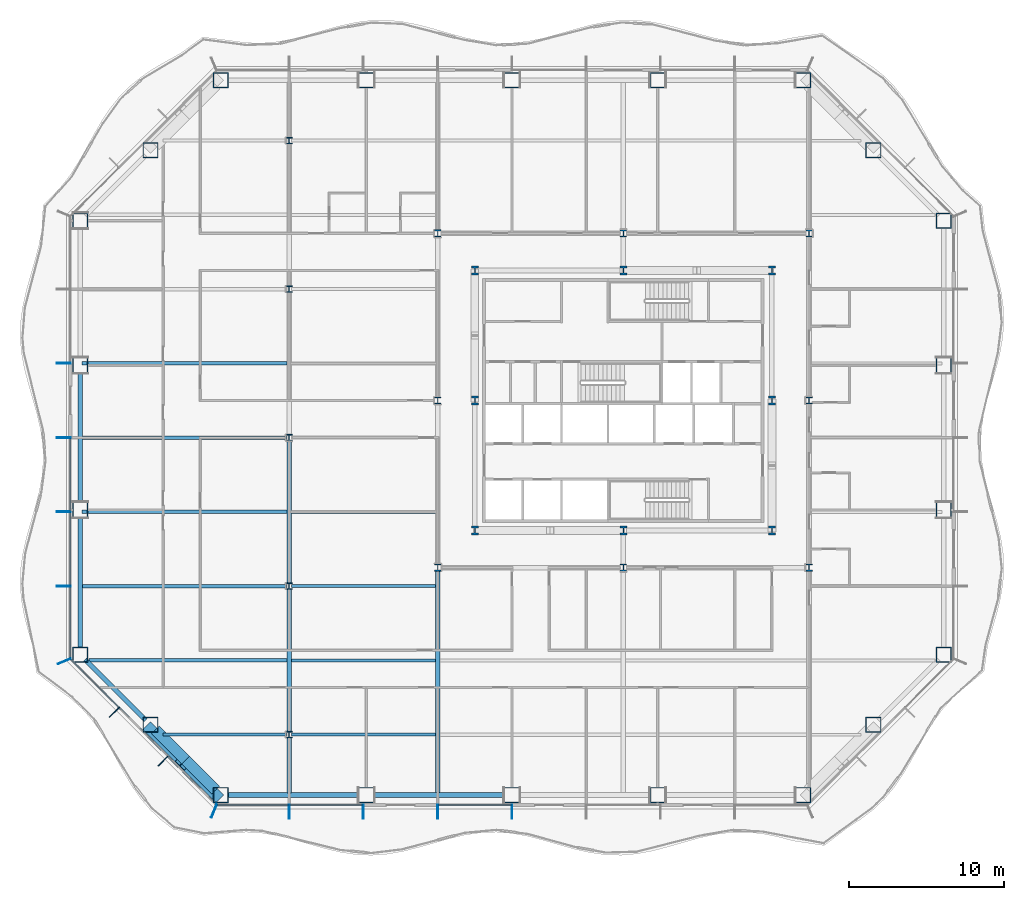
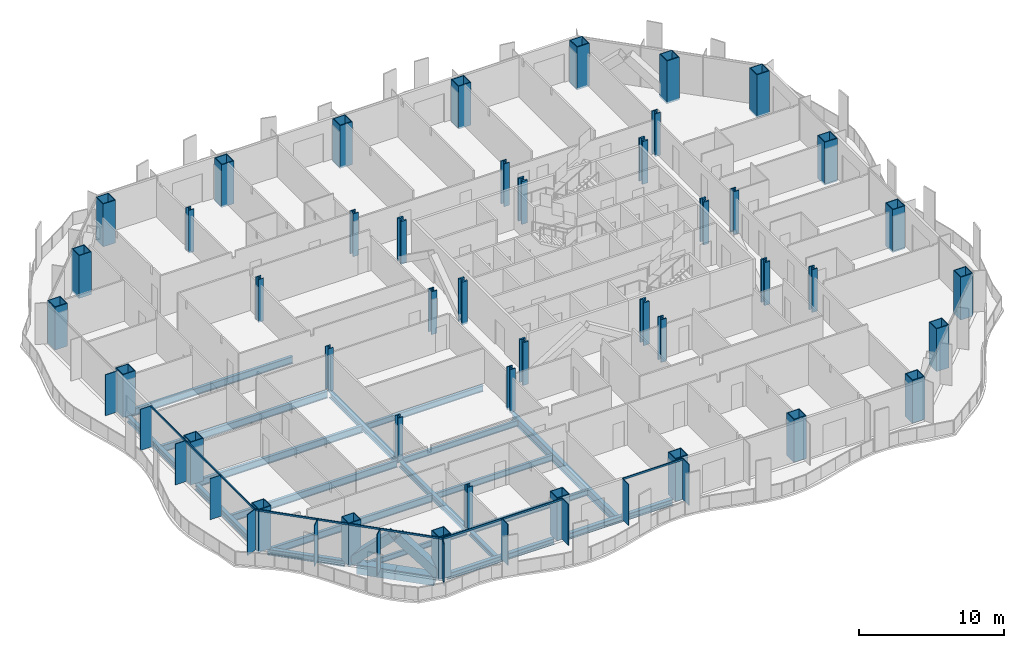
# One storey, part 1 of 20: 43 columns, 23 members, 21 beams, 3 elements without a shape of their own.
"""IFC4 building model written with IfcOpenShell, lengths in metres."""

from ifc_helpers import new_model, si_unit, direction, frame, origin, origin_2d, place, context, subcontext, project, spatial, rectangle, hollow_rectangle, i_section, extrude, material, material_profile, profile_set, type_object, element, aggregate, save


model = new_model("IFC4")

# Units and contexts
model_context = context("Model", 3, precision=1e-05, world=origin(), true_north=direction((0.0, 1.0)))
body_context = subcontext(model_context, "Body", "Model", "MODEL_VIEW")
ifc_project = project(units=[si_unit("LENGTHUNIT", "METRE"), si_unit("AREAUNIT", "SQUARE_METRE"), si_unit("VOLUMEUNIT", "CUBIC_METRE"), si_unit("PLANEANGLEUNIT", "RADIAN"), si_unit("MASSUNIT", "GRAM", prefix="KILO")], contexts=[model_context])

# Site, building, storey
site_placement = place(None, origin())
site = spatial("IfcSite", under=ifc_project, at=site_placement, CompositionType="ELEMENT")
building_placement = place(site_placement, origin())
building = spatial("IfcBuilding", under=site, at=building_placement, Name="Cairn Pilgrim Tower", CompositionType="ELEMENT")
storey_placement = place(building_placement, frame((0.0, 0.0, 61.800048828125)))
storey = spatial("IfcBuildingStorey", under=building, at=storey_placement, Name="L13", CompositionType="ELEMENT", Elevation=61.800048828125)

# Columns
ifc_material_1 = material(Name="Structural steel S460M", Category="steel")
ifc_material_profile_1 = material_profile(ifc_material_1, hollow_rectangle(XDim=1.0, YDim=1.0, WallThickness=0.06005859375, at=origin_2d()), Name="BOX 1000x1000x60")
ifc_profile_set_1 = profile_set([ifc_material_profile_1], Name="Structural steel S460M")
column_type_1 = type_object("IfcColumnType", Name="BOX 1000x1000x60", PredefinedType="COLUMN", material=ifc_profile_set_1)
for number, where, z_axis, x_axis, name in (
    (1, (-18.8271484375, -23.10009765625, -0.150146484375), (0.0, 0.0, 1.0), (1.0, 0.0, 0.0), "PC1-S1"),
    (2, (-9.41357421875, -23.10009765625, -0.150146484375), (0.0, 0.0, 1.0), (1.0, 0.0, 0.0), "PC1-S2"),
    (3, (0.0, -23.10009765625, -0.150146484375), (0.0, 0.0, 1.0), (1.0, 0.0, 0.0), "PC1-S3"),
    (4, (9.41357421875, -23.10009765625, -0.150146484375), (0.0, 0.0, 1.0), (1.0, 0.0, 0.0), "PC1-S4"),
    (5, (18.8271484375, -23.10009765625, -0.150146484375), (0.0, 0.0, 1.0), (1.0, 0.0, 0.0), "PC1-SE1"),
    (6, (23.363525390625, -18.563720703125, -0.150146484375), (0.0, 0.0, 1.0), (1.0, 0.0, 0.0), "PC1-SE2"),
    (7, (27.89990234375, -14.027099609375, -0.150146484375), (0.0, 0.0, 1.0), (1.0, 0.0, 0.0), "PC1-E1"),
    (8, (27.89990234375, -4.67578125, -0.150146484375), (0.0, 0.0, 1.0), (1.0, 0.0, 0.0), "PC1-E2"),
    (9, (27.89990234375, 4.67578125, -0.150146484375), (0.0, 0.0, 1.0), (1.0, 0.0, 0.0), "PC1-E3"),
    (10, (27.89990234375, 14.027099609375, -0.150146484375), (0.0, 0.0, 1.0), (1.0, 0.0, 0.0), "PC1-NE1"),
    (11, (23.363525390625, 18.563720703125, -0.150146484375), (0.0, 0.0, 1.0), (1.0, 0.0, 0.0), "PC1-NE2"),
    (12, (18.8271484375, 23.10009765625, -0.150146484375), (0.0, 0.0, 1.0), (1.0, 0.0, 0.0), "PC1-N1"),
    (13, (9.41357421875, 23.10009765625, -0.150146484375), (0.0, 0.0, 1.0), (1.0, 0.0, 0.0), "PC1-N2"),
    (14, (0.0, 23.10009765625, -0.150146484375), (0.0, 0.0, 1.0), (1.0, 0.0, 0.0), "PC1-N3"),
    (15, (-9.41357421875, 23.10009765625, -0.150146484375), (0.0, 0.0, 1.0), (1.0, 0.0, 0.0), "PC1-N4"),
    (16, (-18.8271484375, 23.10009765625, -0.150146484375), (0.0, 0.0, 1.0), (1.0, 0.0, 0.0), "PC1-NW1"),
    (17, (-23.363525390625, 18.563720703125, -0.150146484375), (0.0, 0.0, 1.0), (1.0, 0.0, 0.0), "PC1-NW2"),
    (18, (-27.89990234375, 14.027099609375, -0.150146484375), (0.0, 0.0, 1.0), (1.0, 0.0, 0.0), "PC1-W1"),
    (19, (-27.89990234375, 4.67578125, -0.150146484375), (0.0, 0.0, 1.0), (1.0, 0.0, 0.0), "PC1-W2"),
    (20, (-27.89990234375, -4.67578125, -0.150146484375), (0.0, 0.0, 1.0), (1.0, 0.0, 0.0), "PC1-W3"),
    (21, (-27.89990234375, -14.027099609375, -0.150146484375), (0.0, 0.0, 1.0), (1.0, 0.0, 0.0), "PC1-SW1"),
    (22, (-23.363525390625, -18.563720703125, -0.150146484375), (0.0, 0.0, 1.0), (1.0, 0.0, 0.0), "PC1-SW2"),
):
    element("IfcColumn", number, at=place(storey_placement, frame(where, z_axis=z_axis, x_axis=x_axis)), inside=storey, type_object=column_type_1, Name=name, PredefinedType="COLUMN", context=body_context, shape_type="SweptSolid", body=[
        extrude(hollow_rectangle(XDim=1.0, YDim=1.0, WallThickness=0.06005859375, at=origin_2d()), origin(), (0.0, 0.0, 1.0), 3.60009765625),
    ])
ifc_material_profile_2 = material_profile(ifc_material_1, i_section(OverallWidth=0.4541015625, OverallDepth=0.569091796875, WebThickness=0.077880859375, FlangeThickness=0.125, FilletRadius=0.014892578125, at=origin_2d()), Name="HD 400x1086")
ifc_profile_set_2 = profile_set([ifc_material_profile_2], Name="Structural steel S460M")
column_type_2 = type_object("IfcColumnType", Name="HD 400x1086", PredefinedType="COLUMN", material=ifc_profile_set_2)
for number, where, z_axis, x_axis, name in (
    (23, (-2.39990234375, -6.0, -0.150146484375), (0.0, 0.0, 1.0), (1.0, 0.0, 0.0), "KC-1"),
    (24, (7.199951171875, -6.0, -0.150146484375), (0.0, 0.0, 1.0), (1.0, 0.0, 0.0), "KC-2"),
    (25, (16.800048828125, -6.0, -0.150146484375), (0.0, 0.0, 1.0), (1.0, 0.0, 0.0), "KC-3"),
    (26, (-2.39990234375, 2.39990234375, -0.150146484375), (0.0, 0.0, 1.0), (1.0, 0.0, 0.0), "KC-4"),
    (27, (16.800048828125, 2.39990234375, -0.150146484375), (0.0, 0.0, 1.0), (1.0, 0.0, 0.0), "KC-5"),
    (28, (-2.39990234375, 10.800048828125, -0.150146484375), (0.0, 0.0, 1.0), (1.0, 0.0, 0.0), "KC-6"),
    (29, (7.199951171875, 10.800048828125, -0.150146484375), (0.0, 0.0, 1.0), (1.0, 0.0, 0.0), "KC-7"),
    (30, (16.800048828125, 10.800048828125, -0.150146484375), (0.0, 0.0, 1.0), (1.0, 0.0, 0.0), "KC-8"),
):
    element("IfcColumn", number, at=place(storey_placement, frame(where, z_axis=z_axis, x_axis=x_axis)), inside=storey, type_object=column_type_2, Name=name, PredefinedType="COLUMN", context=body_context, shape_type="SweptSolid", body=[
        extrude(i_section(OverallWidth=0.4541015625, OverallDepth=0.569091796875, WebThickness=0.077880859375, FlangeThickness=0.125, FilletRadius=0.014892578125, at=origin_2d()), origin(), (0.0, 0.0, 1.0), 3.60009765625),
    ])
ifc_material_profile_3 = material_profile(ifc_material_1, i_section(OverallWidth=0.408935546875, OverallDepth=0.425048828125, WebThickness=0.03271484375, FlangeThickness=0.052490234375, FilletRadius=0.014892578125, at=origin_2d()), Name="HD 400x421")
ifc_profile_set_3 = profile_set([ifc_material_profile_3], Name="Structural steel S460M")
column_type_3 = type_object("IfcColumnType", Name="HD 400x421", PredefinedType="COLUMN", material=ifc_profile_set_3)
for number, where, z_axis, x_axis, name in (
    (31, (-14.39990234375, -19.199951171875, -0.150146484375), (0.0, 0.0, 1.0), (1.0, 0.0, 0.0), "WC-WW-4"),
    (32, (-14.39990234375, -9.60009765625, -0.150146484375), (0.0, 0.0, 1.0), (1.0, 0.0, 0.0), "WC-WW-2"),
    (33, (-14.39990234375, 0.0, -0.150146484375), (0.0, 0.0, 1.0), (1.0, 0.0, 0.0), "WC-WW+0"),
    (34, (-14.39990234375, 9.60009765625, -0.150146484375), (0.0, 0.0, 1.0), (1.0, 0.0, 0.0), "WC-WW+2"),
    (35, (-14.39990234375, 19.199951171875, -0.150146484375), (0.0, 0.0, 1.0), (1.0, 0.0, 0.0), "WC-WW+4"),
):
    element("IfcColumn", number, at=place(storey_placement, frame(where, z_axis=z_axis, x_axis=x_axis)), inside=storey, type_object=column_type_3, Name=name, PredefinedType="COLUMN", context=body_context, shape_type="SweptSolid", body=[
        extrude(i_section(OverallWidth=0.408935546875, OverallDepth=0.425048828125, WebThickness=0.03271484375, FlangeThickness=0.052490234375, FilletRadius=0.014892578125, at=origin_2d()), origin(), (0.0, 0.0, 1.0), 3.60009765625),
    ])
ifc_material_profile_4 = material_profile(ifc_material_1, i_section(OverallWidth=0.424072265625, OverallDepth=0.47412109375, WebThickness=0.047607421875, FlangeThickness=0.0771484375, FilletRadius=0.014892578125, at=origin_2d()), Name="HD 400x634")
ifc_profile_set_4 = profile_set([ifc_material_profile_4], Name="Structural steel S460M")
column_type_4 = type_object("IfcColumnType", Name="HD 400x634", PredefinedType="COLUMN", material=ifc_profile_set_4)
for number, where, z_axis, x_axis, name in (
    (36, (-4.800048828125, -8.39990234375, -0.150146484375), (0.0, 0.0, 1.0), (1.0, 0.0, 0.0), "IC-1"),
    (37, (7.199951171875, -8.39990234375, -0.150146484375), (0.0, 0.0, 1.0), (1.0, 0.0, 0.0), "IC-2"),
    (38, (19.199951171875, -8.39990234375, -0.150146484375), (0.0, 0.0, 1.0), (1.0, 0.0, 0.0), "IC-3"),
    (39, (-4.800048828125, 2.39990234375, -0.150146484375), (0.0, 0.0, 1.0), (1.0, 0.0, 0.0), "IC-4"),
    (40, (19.199951171875, 2.39990234375, -0.150146484375), (0.0, 0.0, 1.0), (1.0, 0.0, 0.0), "IC-5"),
    (41, (-4.800048828125, 13.199951171875, -0.150146484375), (0.0, 0.0, 1.0), (1.0, 0.0, 0.0), "IC-6"),
    (42, (7.199951171875, 13.199951171875, -0.150146484375), (0.0, 0.0, 1.0), (1.0, 0.0, 0.0), "IC-7"),
    (43, (19.199951171875, 13.199951171875, -0.150146484375), (0.0, 0.0, 1.0), (1.0, 0.0, 0.0), "IC-8"),
):
    element("IfcColumn", number, at=place(storey_placement, frame(where, z_axis=z_axis, x_axis=x_axis)), inside=storey, type_object=column_type_4, Name=name, PredefinedType="COLUMN", context=body_context, shape_type="SweptSolid", body=[
        extrude(i_section(OverallWidth=0.424072265625, OverallDepth=0.47412109375, WebThickness=0.047607421875, FlangeThickness=0.0771484375, FilletRadius=0.014892578125, at=origin_2d()), origin(), (0.0, 0.0, 1.0), 3.60009765625),
    ])

# Members
ifc_material_profile_5 = material_profile(ifc_material_1, hollow_rectangle(XDim=0.699951171875, YDim=0.699951171875, WallThickness=0.0400390625, at=origin_2d()), Name="BOX 700x700x40")
ifc_profile_set_5 = profile_set([ifc_material_profile_5], Name="Structural steel S460M")
member_type_1 = type_object("IfcMemberType", Name="BOX 700x700x40 BRACE", PredefinedType="BRACE", material=ifc_profile_set_5)
member_1_placement = place(storey_placement, frame((-23.44482421875, -18.786376953125, 0.14990234375), z_axis=(0.528068439288, -0.528068439288, 0.665046950866), x_axis=(0.707106781187, 0.707106781187, 0.0)))
element("IfcMember", 44, at=member_1_placement, inside=storey, type_object=member_type_1, Name="XB-SW2-S1-1", PredefinedType="BRACE", context=body_context, shape_type="SweptSolid", body=[
    extrude(hollow_rectangle(XDim=0.699951171875, YDim=0.699951171875, WallThickness=0.0400390625, at=origin_2d()), origin(), (0.0, 0.0, 1.0), 3.899658203125),
])
member_2_placement = place(storey_placement, frame((-19.0498046875, -23.181396484375, 0.14990234375), z_axis=(-0.528096125699, 0.528096125699, 0.665002980477), x_axis=(-0.707106781187, -0.707106781187, 0.0)))
element("IfcMember", 45, at=member_2_placement, inside=storey, type_object=member_type_1, Name="XB-SW2-S1-2", PredefinedType="BRACE", context=body_context, shape_type="SweptSolid", body=[
    extrude(hollow_rectangle(XDim=0.699951171875, YDim=0.699951171875, WallThickness=0.0400390625, at=origin_2d()), origin(), (0.0, 0.0, 1.0), 3.89990234375),
])

# Beams
ifc_material_2 = material(Name="Structural steel S355J2", Category="steel")
ifc_material_profile_6 = material_profile(ifc_material_2, hollow_rectangle(XDim=0.699951171875, YDim=0.800048828125, WallThickness=0.0400390625, at=origin_2d()), Name="BOX 700x800x40")
ifc_profile_set_6 = profile_set([ifc_material_profile_6], Name="Structural steel S355J2")
beam_type_1 = type_object("IfcBeamType", Name="BOX 700x800x40 RING GIRDER", PredefinedType="SPANDREL", material=ifc_profile_set_6)
for number, where, z_axis, x_axis, name in (
    (46, (-23.04541015625, -18.8818359375, -0.550048828125), (0.707106781187, -0.707106781187, 0.0), (0.707106781187, 0.707106781187, 0.0), "RG1-SW2-S1-1"),
    (47, (-21.095458984375, -20.831787109375, -0.550048828125), (0.707106781187, -0.707106781187, 0.0), (0.707106781187, 0.707106781187, 0.0), "RG1-SW2-S1-2"),
):
    element("IfcBeam", number, at=place(storey_placement, frame(where, z_axis=z_axis, x_axis=x_axis)), inside=storey, type_object=beam_type_1, Name=name, PredefinedType="SPANDREL", context=body_context, shape_type="SweptSolid", body=[
        extrude(hollow_rectangle(XDim=0.699951171875, YDim=0.800048828125, WallThickness=0.0400390625, at=origin_2d()), origin(), (0.0, 0.0, 1.0), 2.757568359375),
    ])

# Curtain wall, members
ifc_material_3 = material(Name="Aluminium alloy 6063-T6 bronze anodised with Bronze tinted laminated low-E glass 8+16+8.8", Category="aluminium")
curtain_wall_type_1 = type_object("IfcCurtainWallType", Name="TOWER STICK CURTAIN WALL NS", PredefinedType="NOTDEFINED", material=ifc_material_3)
curtain_wall_1_placement = place(storey_placement, origin())
curtain_wall_1 = element("IfcCurtainWall", 48, at=curtain_wall_1_placement, inside=storey, type_object=curtain_wall_type_1, Name="Tower Stick Curtain Wall Ns S", PredefinedType="NOTDEFINED")
ifc_material_4 = material(Name="Aluminium alloy 6063-T6 bronze anodised", Category="aluminium")
ifc_material_profile_7 = material_profile(ifc_material_4, rectangle(XDim=0.89990234375, YDim=0.06005859375, at=origin_2d()), Name="FIN MULLION 60x900 BRONZE")
ifc_profile_set_7 = profile_set([ifc_material_profile_7], Name="Aluminium alloy 6063-T6 bronze anodised")
member_type_2 = type_object("IfcMemberType", Name="FIN MULLION 60x900 BRONZE", PredefinedType="MULLION", material=ifc_profile_set_7)
member_3_placement = place(storey_placement, frame((-19.257080078125, -24.137939453125, 0.0), z_axis=(0.0, 0.0, 1.0), x_axis=(-0.382683432365, -0.923879532511, 0.0)))
member_3 = element("IfcMember", 49, at=member_3_placement, type_object=member_type_2, Name="Fin mullion S1", PredefinedType="MULLION", context=body_context, shape_type="SweptSolid", body=[
    extrude(rectangle(XDim=0.89990234375, YDim=0.06005859375, at=origin_2d()), origin(), (0.0, 0.0, 1.0), 3.449951171875),
])
member_4_placement = place(storey_placement, frame((-14.39990234375, -24.169921875, 0.0), z_axis=(0.0, 0.0, 1.0), x_axis=(0.0, -1.0, 0.0)))
member_4 = element("IfcMember", 50, at=member_4_placement, type_object=member_type_2, Name="Fin mullion S2", PredefinedType="MULLION", context=body_context, shape_type="SweptSolid", body=[
    extrude(rectangle(XDim=0.89990234375, YDim=0.06005859375, at=origin_2d()), origin(), (0.0, 0.0, 1.0), 3.449951171875),
])
member_5_placement = place(storey_placement, frame((-9.60009765625, -24.169921875, 0.0), z_axis=(0.0, 0.0, 1.0), x_axis=(0.0, -1.0, 0.0)))
member_5 = element("IfcMember", 51, at=member_5_placement, type_object=member_type_2, Name="Fin mullion S3", PredefinedType="MULLION", context=body_context, shape_type="SweptSolid", body=[
    extrude(rectangle(XDim=0.89990234375, YDim=0.06005859375, at=origin_2d()), origin(), (0.0, 0.0, 1.0), 3.449951171875),
])
member_6_placement = place(storey_placement, frame((-4.800048828125, -24.169921875, 0.0), z_axis=(0.0, 0.0, 1.0), x_axis=(0.0, -1.0, 0.0)))
member_6 = element("IfcMember", 52, at=member_6_placement, type_object=member_type_2, Name="Fin mullion S4", PredefinedType="MULLION", context=body_context, shape_type="SweptSolid", body=[
    extrude(rectangle(XDim=0.89990234375, YDim=0.06005859375, at=origin_2d()), origin(), (0.0, 0.0, 1.0), 3.449951171875),
])
member_7_placement = place(storey_placement, frame((0.0, -24.169921875, 0.0), z_axis=(0.0, 0.0, 1.0), x_axis=(0.0, -1.0, 0.0)))
member_7 = element("IfcMember", 53, at=member_7_placement, type_object=member_type_2, Name="Fin mullion S5", PredefinedType="MULLION", context=body_context, shape_type="SweptSolid", body=[
    extrude(rectangle(XDim=0.89990234375, YDim=0.06005859375, at=origin_2d()), origin(), (0.0, 0.0, 1.0), 3.449951171875),
])

curtain_wall_type_2 = type_object("IfcCurtainWallType", Name="TOWER STICK CURTAIN WALL EW", PredefinedType="NOTDEFINED", material=ifc_material_3)
curtain_wall_2_placement = place(storey_placement, origin())
curtain_wall_2 = element("IfcCurtainWall", 54, at=curtain_wall_2_placement, inside=storey, type_object=curtain_wall_type_2, Name="Tower Stick Curtain Wall Ew W", PredefinedType="NOTDEFINED")
member_8_placement = place(storey_placement, frame((-28.969970703125, 4.800048828125, 0.0), z_axis=(0.0, 0.0, 1.0), x_axis=(-1.0, 0.0, 0.0)))
member_8 = element("IfcMember", 55, at=member_8_placement, type_object=member_type_2, Name="Fin mullion W3", PredefinedType="MULLION", context=body_context, shape_type="SweptSolid", body=[
    extrude(rectangle(XDim=0.89990234375, YDim=0.06005859375, at=origin_2d()), origin(), (0.0, 0.0, 1.0), 3.449951171875),
])
member_9_placement = place(storey_placement, frame((-28.969970703125, 0.0, 0.0), z_axis=(0.0, 0.0, 1.0), x_axis=(-1.0, 0.0, 0.0)))
member_9 = element("IfcMember", 56, at=member_9_placement, type_object=member_type_2, Name="Fin mullion W4", PredefinedType="MULLION", context=body_context, shape_type="SweptSolid", body=[
    extrude(rectangle(XDim=0.89990234375, YDim=0.06005859375, at=origin_2d()), origin(), (0.0, 0.0, 1.0), 3.449951171875),
])
member_10_placement = place(storey_placement, frame((-28.969970703125, -4.800048828125, 0.0), z_axis=(0.0, 0.0, 1.0), x_axis=(-1.0, 0.0, 0.0)))
member_10 = element("IfcMember", 57, at=member_10_placement, type_object=member_type_2, Name="Fin mullion W5", PredefinedType="MULLION", context=body_context, shape_type="SweptSolid", body=[
    extrude(rectangle(XDim=0.89990234375, YDim=0.06005859375, at=origin_2d()), origin(), (0.0, 0.0, 1.0), 3.449951171875),
])
member_11_placement = place(storey_placement, frame((-28.969970703125, -9.60009765625, 0.0), z_axis=(0.0, 0.0, 1.0), x_axis=(-1.0, 0.0, 0.0)))
member_11 = element("IfcMember", 58, at=member_11_placement, type_object=member_type_2, Name="Fin mullion W6", PredefinedType="MULLION", context=body_context, shape_type="SweptSolid", body=[
    extrude(rectangle(XDim=0.89990234375, YDim=0.06005859375, at=origin_2d()), origin(), (0.0, 0.0, 1.0), 3.449951171875),
])

curtain_wall_type_3 = type_object("IfcCurtainWallType", Name="CHAMFER CORNER CURTAIN WALL", PredefinedType="NOTDEFINED", material=ifc_material_3)
curtain_wall_3_placement = place(storey_placement, origin())
curtain_wall_3 = element("IfcCurtainWall", 59, at=curtain_wall_3_placement, inside=storey, type_object=curtain_wall_type_3, Name="Chamfer Corner Curtain Wall SW", PredefinedType="NOTDEFINED")
member_12_placement = place(storey_placement, frame((-28.93798828125, -14.457275390625, 0.0), z_axis=(0.0, 0.0, 1.0), x_axis=(-0.923879532511, -0.382683432365, 0.0)))
member_12 = element("IfcMember", 60, at=member_12_placement, type_object=member_type_2, Name="Fin mullion SW1", PredefinedType="MULLION", context=body_context, shape_type="SweptSolid", body=[
    extrude(rectangle(XDim=0.89990234375, YDim=0.06005859375, at=origin_2d()), origin(), (0.0, 0.0, 1.0), 3.449951171875),
])
member_13_placement = place(storey_placement, frame((-25.69580078125, -17.74462890625, 0.0), z_axis=(0.0, 0.0, 1.0), x_axis=(-0.707106781187, -0.707106781187, 0.0)))
member_13 = element("IfcMember", 61, at=member_13_placement, type_object=member_type_2, Name="Fin mullion SW2", PredefinedType="MULLION", context=body_context, shape_type="SweptSolid", body=[
    extrude(rectangle(XDim=0.89990234375, YDim=0.06005859375, at=origin_2d()), origin(), (0.0, 0.0, 1.0), 3.449951171875),
])
member_14_placement = place(storey_placement, frame((-22.544677734375, -20.895751953125, 0.0), z_axis=(0.0, 0.0, 1.0), x_axis=(-0.707106781187, -0.707106781187, 0.0)))
member_14 = element("IfcMember", 62, at=member_14_placement, type_object=member_type_2, Name="Fin mullion SW3", PredefinedType="MULLION", context=body_context, shape_type="SweptSolid", body=[
    extrude(rectangle(XDim=0.89990234375, YDim=0.06005859375, at=origin_2d()), origin(), (0.0, 0.0, 1.0), 3.449951171875),
])

# Beams
ifc_material_profile_8 = material_profile(ifc_material_2, i_section(OverallWidth=0.300048828125, OverallDepth=0.39990234375, WebThickness=0.013427734375, FlangeThickness=0.02392578125, FilletRadius=0.027099609375, at=origin_2d()), Name="HEB 400")
ifc_profile_set_8 = profile_set([ifc_material_profile_8], Name="Structural steel S355J2")
beam_type_2 = type_object("IfcBeamType", Name="HEB 400 GIRDER", PredefinedType="BEAM", material=ifc_profile_set_8)
beam_1_placement = place(storey_placement, frame((-14.39990234375, -22.97998046875, -0.35009765625), z_axis=(0.0, 1.0, 0.0), x_axis=(-1.0, 0.0, 0.0)))
element("IfcBeam", 63, at=beam_1_placement, inside=storey, type_object=beam_type_2, Name="PG1-1", PredefinedType="BEAM", context=body_context, shape_type="SweptSolid", body=[
    extrude(i_section(OverallWidth=0.300048828125, OverallDepth=0.39990234375, WebThickness=0.013427734375, FlangeThickness=0.02392578125, FilletRadius=0.027099609375, at=origin_2d()), origin(), (0.0, 0.0, 1.0), 3.575439453125),
])
ifc_material_profile_9 = material_profile(ifc_material_2, i_section(OverallWidth=0.300048828125, OverallDepth=0.5, WebThickness=0.014404296875, FlangeThickness=0.028076171875, FilletRadius=0.027099609375, at=origin_2d()), Name="HEB 500")
ifc_profile_set_9 = profile_set([ifc_material_profile_9], Name="Structural steel S355J2")
beam_type_3 = type_object("IfcBeamType", Name="HEB 500 GIRDER", PredefinedType="BEAM", material=ifc_profile_set_9)
beam_2_placement = place(storey_placement, frame((-14.39990234375, -18.99560546875, -0.400146484375), z_axis=(0.0, 1.0, 0.0), x_axis=(-1.0, 0.0, 0.0)))
element("IfcBeam", 64, at=beam_2_placement, inside=storey, type_object=beam_type_3, Name="PG1-2", PredefinedType="BEAM", context=body_context, shape_type="SweptSolid", body=[
    extrude(i_section(OverallWidth=0.300048828125, OverallDepth=0.5, WebThickness=0.014404296875, FlangeThickness=0.028076171875, FilletRadius=0.027099609375, at=origin_2d()), origin(), (0.0, 0.0, 1.0), 9.191162109375),
])
beam_3_placement = place(storey_placement, frame((-14.39990234375, -9.3955078125, -0.400146484375), z_axis=(0.0, 1.0, 0.0), x_axis=(-1.0, 0.0, 0.0)))
element("IfcBeam", 65, at=beam_3_placement, inside=storey, type_object=beam_type_3, Name="PG1-3", PredefinedType="BEAM", context=body_context, shape_type="SweptSolid", body=[
    extrude(i_section(OverallWidth=0.300048828125, OverallDepth=0.5, WebThickness=0.014404296875, FlangeThickness=0.028076171875, FilletRadius=0.027099609375, at=origin_2d()), origin(), (0.0, 0.0, 1.0), 9.19091796875),
])
ifc_material_profile_10 = material_profile(ifc_material_2, i_section(OverallWidth=0.300048828125, OverallDepth=0.5, WebThickness=0.014404296875, FlangeThickness=0.028076171875, FilletRadius=0.027099609375, at=origin_2d()), Name="HEB 500")
ifc_profile_set_10 = profile_set([ifc_material_profile_10], Name="Structural steel S355J2")
beam_type_4 = type_object("IfcBeamType", Name="HEB 500 RING GIRDER", PredefinedType="SPANDREL", material=ifc_profile_set_10)
for number, where, z_axis, x_axis, name in (
    (66, (-18.377197265625, -23.10009765625, -0.400146484375), (1.0, 0.0, 0.0), (0.0, 1.0, 0.0), "RG1-S1-S2"),
    (67, (-8.963623046875, -23.10009765625, -0.400146484375), (1.0, 0.0, 0.0), (0.0, 1.0, 0.0), "RG1-S2-S3"),
):
    element("IfcBeam", number, at=place(storey_placement, frame(where, z_axis=z_axis, x_axis=x_axis)), inside=storey, type_object=beam_type_4, Name=name, PredefinedType="SPANDREL", context=body_context, shape_type="SweptSolid", body=[
        extrude(i_section(OverallWidth=0.300048828125, OverallDepth=0.5, WebThickness=0.014404296875, FlangeThickness=0.028076171875, FilletRadius=0.027099609375, at=origin_2d()), origin(), (0.0, 0.0, 1.0), 8.513671875),
    ])
beam_4_placement = place(storey_placement, frame((-27.89990234375, 4.2255859375, -0.400146484375), z_axis=(0.0, -1.0, 0.0), x_axis=(1.0, 0.0, 0.0)))
element("IfcBeam", 68, at=beam_4_placement, inside=storey, type_object=beam_type_4, Name="RG1-W2-W3", PredefinedType="SPANDREL", context=body_context, shape_type="SweptSolid", body=[
    extrude(i_section(OverallWidth=0.300048828125, OverallDepth=0.5, WebThickness=0.014404296875, FlangeThickness=0.028076171875, FilletRadius=0.027099609375, at=origin_2d()), origin(), (0.0, 0.0, 1.0), 8.451171875),
])
beam_5_placement = place(storey_placement, frame((-27.89990234375, -5.125732421875, -0.400146484375), z_axis=(0.0, -1.0, 0.0), x_axis=(1.0, 0.0, 0.0)))
element("IfcBeam", 69, at=beam_5_placement, inside=storey, type_object=beam_type_4, Name="RG1-W3-SW1", PredefinedType="SPANDREL", context=body_context, shape_type="SweptSolid", body=[
    extrude(i_section(OverallWidth=0.300048828125, OverallDepth=0.5, WebThickness=0.014404296875, FlangeThickness=0.028076171875, FilletRadius=0.027099609375, at=origin_2d()), origin(), (0.0, 0.0, 1.0), 8.451416015625),
])
beam_6_placement = place(storey_placement, frame((-27.581787109375, -14.345458984375, -0.400146484375), z_axis=(0.707106781187, -0.707106781187, 0.0), x_axis=(0.707106781187, 0.707106781187, 0.0)))
element("IfcBeam", 70, at=beam_6_placement, inside=storey, type_object=beam_type_4, Name="RG1-SW1-SW2", PredefinedType="SPANDREL", context=body_context, shape_type="SweptSolid", body=[
    extrude(i_section(OverallWidth=0.300048828125, OverallDepth=0.5, WebThickness=0.014404296875, FlangeThickness=0.028076171875, FilletRadius=0.027099609375, at=origin_2d()), origin(), (0.0, 0.0, 1.0), 5.515380859375),
])
ifc_material_profile_11 = material_profile(ifc_material_2, i_section(OverallWidth=0.300048828125, OverallDepth=0.699951171875, WebThickness=0.01708984375, FlangeThickness=0.031982421875, FilletRadius=0.027099609375, at=origin_2d()), Name="HEB 700")
ifc_profile_set_11 = profile_set([ifc_material_profile_11], Name="Structural steel S355J2")
beam_type_5 = type_object("IfcBeamType", Name="HEB 700 GIRDER", PredefinedType="BEAM", material=ifc_profile_set_11)
beam_7_placement = place(storey_placement, frame((-4.800048828125, -22.97998046875, -0.5), z_axis=(0.0, 1.0, 0.0), x_axis=(-1.0, 0.0, 0.0)))
element("IfcBeam", 71, at=beam_7_placement, inside=storey, type_object=beam_type_5, Name="PG2-1", PredefinedType="BEAM", context=body_context, shape_type="SweptSolid", body=[
    extrude(i_section(OverallWidth=0.300048828125, OverallDepth=0.699951171875, WebThickness=0.01708984375, FlangeThickness=0.031982421875, FilletRadius=0.027099609375, at=origin_2d()), origin(), (0.0, 0.0, 1.0), 14.367919921875),
])
ifc_material_profile_12 = material_profile(ifc_material_2, i_section(OverallWidth=0.18994140625, OverallDepth=0.449951171875, WebThickness=0.009521484375, FlangeThickness=0.0146484375, FilletRadius=0.02099609375, at=origin_2d()), Name="IPE 450")
ifc_profile_set_12 = profile_set([ifc_material_profile_12], Name="Structural steel S355J2")
beam_type_6 = type_object("IfcBeamType", Name="IPE 450 SECONDARY BEAM", PredefinedType="JOIST", material=ifc_profile_set_12)
beam_8_placement = place(storey_placement, frame((-22.545166015625, -19.199951171875, -0.375), z_axis=(1.0, 0.0, 0.0), x_axis=(0.0, 1.0, 0.0)))
element("IfcBeam", 72, at=beam_8_placement, inside=storey, type_object=beam_type_6, Name="SB1-1", PredefinedType="JOIST", context=body_context, shape_type="SweptSolid", body=[
    extrude(i_section(OverallWidth=0.18994140625, OverallDepth=0.449951171875, WebThickness=0.009521484375, FlangeThickness=0.0146484375, FilletRadius=0.02099609375, at=origin_2d()), origin(), (0.0, 0.0, 1.0), 7.9951171875),
])
ifc_material_profile_13 = material_profile(ifc_material_2, i_section(OverallWidth=0.199951171875, OverallDepth=0.5, WebThickness=0.01025390625, FlangeThickness=0.01611328125, FilletRadius=0.02099609375, at=origin_2d()), Name="IPE 500")
ifc_profile_set_13 = profile_set([ifc_material_profile_13], Name="Structural steel S355J2")
beam_type_7 = type_object("IfcBeamType", Name="IPE 500 SECONDARY BEAM", PredefinedType="JOIST", material=ifc_profile_set_13)
for number, where, z_axis, x_axis, name in (
    (73, (-14.25, -19.199951171875, -0.400146484375), (1.0, 0.0, 0.0), (0.0, 1.0, 0.0), "SB1-2"),
    (74, (-14.25, -14.39990234375, -0.400146484375), (1.0, 0.0, 0.0), (0.0, 1.0, 0.0), "SB2-2"),
    (75, (-14.25, -9.60009765625, -0.400146484375), (1.0, 0.0, 0.0), (0.0, 1.0, 0.0), "SB3-2"),
    (76, (-14.25, -4.800048828125, -0.400146484375), (1.0, 0.0, 0.0), (0.0, 1.0, 0.0), "SB4-2"),
):
    element("IfcBeam", number, at=place(storey_placement, frame(where, z_axis=z_axis, x_axis=x_axis)), inside=storey, type_object=beam_type_7, Name=name, PredefinedType="JOIST", context=body_context, shape_type="SweptSolid", body=[
        extrude(i_section(OverallWidth=0.199951171875, OverallDepth=0.5, WebThickness=0.01025390625, FlangeThickness=0.01611328125, FilletRadius=0.02099609375, at=origin_2d()), origin(), (0.0, 0.0, 1.0), 9.300048828125),
    ])
ifc_material_profile_14 = material_profile(ifc_material_2, i_section(OverallWidth=0.219970703125, OverallDepth=0.60009765625, WebThickness=0.011962890625, FlangeThickness=0.01904296875, FilletRadius=0.02392578125, at=origin_2d()), Name="IPE 600")
ifc_profile_set_14 = profile_set([ifc_material_profile_14], Name="Structural steel S355J2")
beam_type_8 = type_object("IfcBeamType", Name="IPE 600 SECONDARY BEAM", PredefinedType="JOIST", material=ifc_profile_set_14)
beam_9_placement = place(storey_placement, frame((-27.34521484375, -14.39990234375, -0.449951171875), z_axis=(1.0, 0.0, 0.0), x_axis=(0.0, 1.0, 0.0)))
element("IfcBeam", 77, at=beam_9_placement, inside=storey, type_object=beam_type_8, Name="SB2-1", PredefinedType="JOIST", context=body_context, shape_type="SweptSolid", body=[
    extrude(i_section(OverallWidth=0.219970703125, OverallDepth=0.60009765625, WebThickness=0.011962890625, FlangeThickness=0.01904296875, FilletRadius=0.02392578125, at=origin_2d()), origin(), (0.0, 0.0, 1.0), 12.795166015625),
])
for number, where, z_axis, x_axis, name in (
    (78, (-27.780029296875, -9.60009765625, -0.449951171875), (1.0, 0.0, 0.0), (0.0, 1.0, 0.0), "SB3-1"),
    (79, (-27.780029296875, -4.800048828125, -0.449951171875), (1.0, 0.0, 0.0), (0.0, 1.0, 0.0), "SB4-1"),
    (80, (-27.780029296875, 0.0, -0.449951171875), (1.0, 0.0, 0.0), (0.0, 1.0, 0.0), "SB5-1"),
    (81, (-27.780029296875, 4.800048828125, -0.449951171875), (1.0, 0.0, 0.0), (0.0, 1.0, 0.0), "SB6-1"),
):
    element("IfcBeam", number, at=place(storey_placement, frame(where, z_axis=z_axis, x_axis=x_axis)), inside=storey, type_object=beam_type_8, Name=name, PredefinedType="JOIST", context=body_context, shape_type="SweptSolid", body=[
        extrude(i_section(OverallWidth=0.219970703125, OverallDepth=0.60009765625, WebThickness=0.011962890625, FlangeThickness=0.01904296875, FilletRadius=0.02392578125, at=origin_2d()), origin(), (0.0, 0.0, 1.0), 13.22998046875),
    ])

# Member
ifc_material_profile_15 = material_profile(ifc_material_4, rectangle(XDim=0.080078125, YDim=0.14990234375, at=origin_2d()), Name="TRANSOM 80x150 BRONZE")
ifc_profile_set_15 = profile_set([ifc_material_profile_15], Name="Aluminium alloy 6063-T6 bronze anodised")
member_type_3 = type_object("IfcMemberType", Name="TRANSOM 80x150 BRONZE", PredefinedType="USERDEFINED", material=ifc_profile_set_15)
member_15_placement = place(storey_placement, frame((-19.056396484375, -23.75, 3.375), z_axis=(1.0, 0.0, 0.0), x_axis=(0.0, 1.0, 0.0)))
member_15 = element("IfcMember", 82, at=member_15_placement, type_object=member_type_3, Name="Transom S1", ObjectType="TRANSOM", PredefinedType="USERDEFINED", context=body_context, shape_type="SweptSolid", body=[
    extrude(rectangle(XDim=0.080078125, YDim=0.14990234375, at=origin_2d()), origin(), (0.0, 0.0, 1.0), 4.62646484375),
])

member_16_placement = place(storey_placement, frame((-14.3701171875, -23.75, 3.375), z_axis=(1.0, 0.0, 0.0), x_axis=(0.0, 1.0, 0.0)))
member_16 = element("IfcMember", 83, at=member_16_placement, type_object=member_type_3, Name="Transom S2", ObjectType="TRANSOM", PredefinedType="USERDEFINED", context=body_context, shape_type="SweptSolid", body=[
    extrude(rectangle(XDim=0.080078125, YDim=0.14990234375, at=origin_2d()), origin(), (0.0, 0.0, 1.0), 4.740234375),
])

member_17_placement = place(storey_placement, frame((-4.77001953125, -23.75, 3.375), z_axis=(1.0, 0.0, 0.0), x_axis=(0.0, 1.0, 0.0)))
member_17 = element("IfcMember", 84, at=member_17_placement, type_object=member_type_3, Name="Transom S4", ObjectType="TRANSOM", PredefinedType="USERDEFINED", context=body_context, shape_type="SweptSolid", body=[
    extrude(rectangle(XDim=0.080078125, YDim=0.14990234375, at=origin_2d()), origin(), (0.0, 0.0, 1.0), 4.739990234375),
])

aggregate(curtain_wall_1, [member_3, member_4, member_5, member_6, member_7, member_15, member_16, member_17])

member_18_placement = place(storey_placement, frame((-28.550048828125, -0.030029296875, 3.375), z_axis=(0.0, -1.0, 0.0), x_axis=(1.0, 0.0, 0.0)))
member_18 = element("IfcMember", 85, at=member_18_placement, type_object=member_type_3, Name="Transom W4", ObjectType="TRANSOM", PredefinedType="USERDEFINED", context=body_context, shape_type="SweptSolid", body=[
    extrude(rectangle(XDim=0.080078125, YDim=0.14990234375, at=origin_2d()), origin(), (0.0, 0.0, 1.0), 4.739990234375),
])

member_19_placement = place(storey_placement, frame((-28.550048828125, -4.830078125, 3.375), z_axis=(0.0, -1.0, 0.0), x_axis=(1.0, 0.0, 0.0)))
member_19 = element("IfcMember", 86, at=member_19_placement, type_object=member_type_3, Name="Transom W5", ObjectType="TRANSOM", PredefinedType="USERDEFINED", context=body_context, shape_type="SweptSolid", body=[
    extrude(rectangle(XDim=0.080078125, YDim=0.14990234375, at=origin_2d()), origin(), (0.0, 0.0, 1.0), 4.739990234375),
])

member_20_placement = place(storey_placement, frame((-28.550048828125, -9.6298828125, 3.375), z_axis=(0.0, -1.0, 0.0), x_axis=(1.0, 0.0, 0.0)))
member_20 = element("IfcMember", 87, at=member_20_placement, type_object=member_type_3, Name="Transom W6", ObjectType="TRANSOM", PredefinedType="USERDEFINED", context=body_context, shape_type="SweptSolid", body=[
    extrude(rectangle(XDim=0.080078125, YDim=0.14990234375, at=origin_2d()), origin(), (0.0, 0.0, 1.0), 4.62646484375),
])

aggregate(curtain_wall_2, [member_8, member_9, member_10, member_11, member_18, member_19, member_20])

member_21_placement = place(storey_placement, frame((-28.521728515625, -14.32470703125, 3.375), z_axis=(0.707106781187, -0.707106781187, 0.0), x_axis=(0.707106781187, 0.707106781187, 0.0)))
member_21 = element("IfcMember", 88, at=member_21_placement, type_object=member_type_3, Name="Transom SW1", ObjectType="TRANSOM", PredefinedType="USERDEFINED", context=body_context, shape_type="SweptSolid", body=[
    extrude(rectangle(XDim=0.080078125, YDim=0.14990234375, at=origin_2d()), origin(), (0.0, 0.0, 1.0), 4.38671875),
])

member_22_placement = place(storey_placement, frame((-25.377685546875, -17.46875, 3.375), z_axis=(0.707106781187, -0.707106781187, 0.0), x_axis=(0.707106781187, 0.707106781187, 0.0)))
member_22 = element("IfcMember", 89, at=member_22_placement, type_object=member_type_3, Name="Transom SW2", ObjectType="TRANSOM", PredefinedType="USERDEFINED", context=body_context, shape_type="SweptSolid", body=[
    extrude(rectangle(XDim=0.080078125, YDim=0.14990234375, at=origin_2d()), origin(), (0.0, 0.0, 1.0), 4.396728515625),
])

member_23_placement = place(storey_placement, frame((-22.226318359375, -20.6201171875, 3.375), z_axis=(0.707106781187, -0.707106781187, 0.0), x_axis=(0.707106781187, 0.707106781187, 0.0)))
member_23 = element("IfcMember", 90, at=member_23_placement, type_object=member_type_3, Name="Transom SW3", ObjectType="TRANSOM", PredefinedType="USERDEFINED", context=body_context, shape_type="SweptSolid", body=[
    extrude(rectangle(XDim=0.080078125, YDim=0.14990234375, at=origin_2d()), origin(), (0.0, 0.0, 1.0), 4.38623046875),
])

aggregate(curtain_wall_3, [member_12, member_13, member_14, member_21, member_22, member_23])

save(model, "model.ifc")
